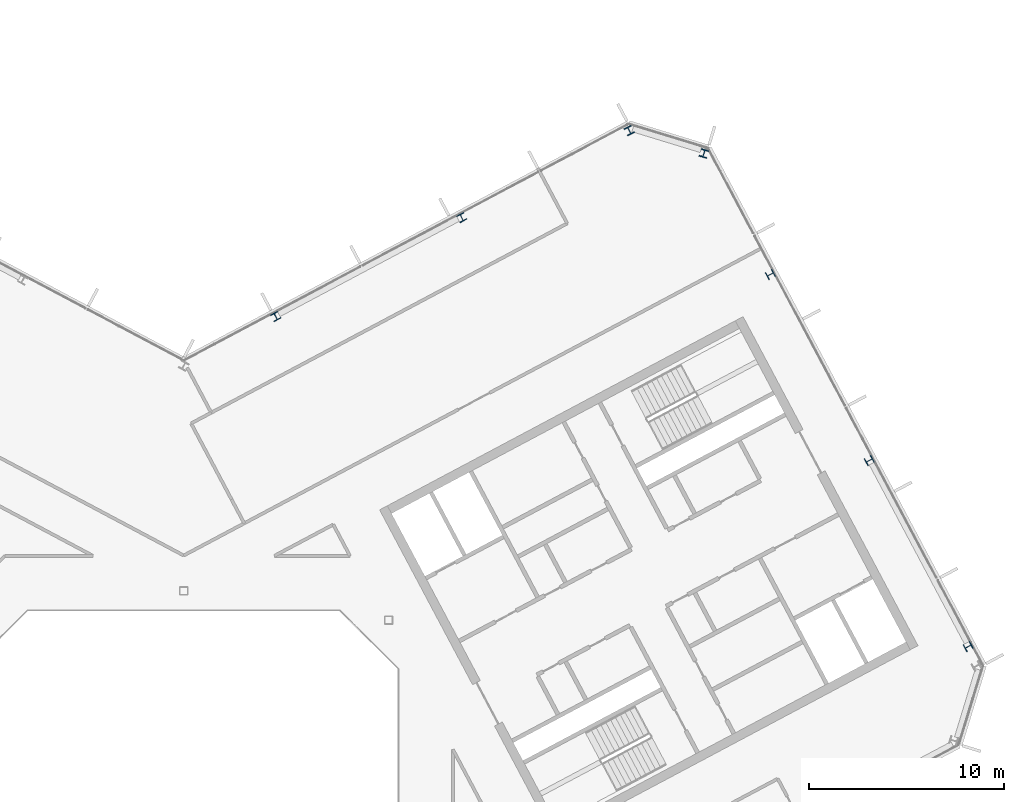
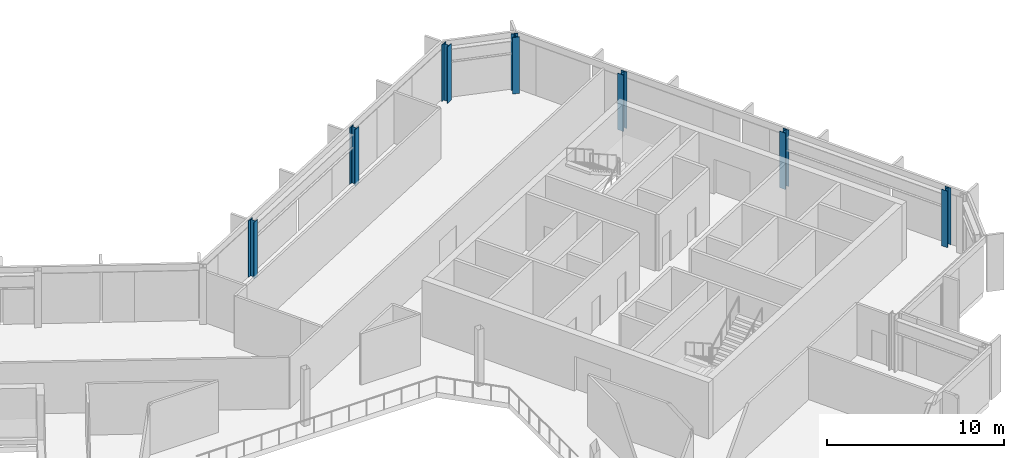
# One storey, part 7 of 25: 7 columns.
"""IFC4 building model written with IfcOpenShell, lengths in metres."""

from ifc_helpers import new_model, si_unit, direction, frame, origin, origin_2d, place, context, subcontext, project, spatial, i_section, extrude, material, material_profile, profile_set, type_object, element, save


model = new_model("IFC4")

# Units and contexts
model_context = context("Model", 3, precision=1e-05, world=origin(), true_north=direction((0.0, 1.0)))
body_context = subcontext(model_context, "Body", "Model", "MODEL_VIEW")
ifc_project = project(units=[si_unit("LENGTHUNIT", "METRE"), si_unit("AREAUNIT", "SQUARE_METRE"), si_unit("VOLUMEUNIT", "CUBIC_METRE"), si_unit("PLANEANGLEUNIT", "RADIAN"), si_unit("MASSUNIT", "GRAM", prefix="KILO")], contexts=[model_context])

# Site, building, storey
site_placement = place(None, origin())
site = spatial("IfcSite", under=ifc_project, at=site_placement, CompositionType="ELEMENT")
building_placement = place(site_placement, origin())
building = spatial("IfcBuilding", under=site, at=building_placement, Name="Cormorant Relay Tower", CompositionType="ELEMENT")
storey_placement = place(building_placement, frame((0.0, 0.0, 273.60009765625)))
storey = spatial("IfcBuildingStorey", under=building, at=storey_placement, Name="L61", CompositionType="ELEMENT", Elevation=273.60009765625)

# Columns
ifc_material_1 = material(Name="Steel ASTM A992 (Fy 345 MPa)", Category="steel")
ifc_material_profile_1 = material_profile(ifc_material_1, i_section(OverallWidth=0.398681640625, OverallDepth=0.385986328125, WebThickness=0.02099609375, FlangeThickness=0.033203125, FilletRadius=0.01513671875, at=origin_2d()), Name="W360x262")
ifc_profile_set_1 = profile_set([ifc_material_profile_1], Name="Steel ASTM A992 (Fy 345 MPa)")
column_type_1 = type_object("IfcColumnType", Name="Column W360x262", PredefinedType="COLUMN", material=ifc_profile_set_1)
for number, where, z_axis, x_axis, name in (
    (1, (40.2119140625, 9.14892578125, 0.0), (0.0, 0.0, 1.0), (-0.469471562786, 0.882947592859, 0.0), "Column L61-021"),
    (2, (35.14111328125, 18.68505859375, 0.0), (0.0, 0.0, 1.0), (-0.469471562786, 0.882947592859, 0.0), "Column L61-027"),
    (3, (4.715087890625, 26.06494140625, 0.0), (0.0, 0.0, 1.0), (-0.882947592859, -0.469471562786, 0.0), "Column L61-031"),
    (4, (30.071044921875, 28.220947265625, 0.0), (0.0, 0.0, 1.0), (-0.469471562786, 0.882947592859, 0.0), "Column L61-033"),
    (5, (14.2509765625, 31.135009765625, 0.0), (0.0, 0.0, 1.0), (-0.882947592859, -0.469471562786, 0.0), "Column L61-035"),
):
    element("IfcColumn", number, at=place(storey_placement, frame(where, z_axis=z_axis, x_axis=x_axis)), inside=storey, type_object=column_type_1, Name=name, PredefinedType="COLUMN", context=body_context, shape_type="SweptSolid", body=[
        extrude(i_section(OverallWidth=0.398681640625, OverallDepth=0.385986328125, WebThickness=0.02099609375, FlangeThickness=0.033203125, FilletRadius=0.01513671875, at=origin_2d()), origin(), (0.0, 0.0, 1.0), 3.89990234375),
    ])
ifc_material_2 = material(Name="Steel ASTM A992 (Fy 345 MPa)", Category="steel")
ifc_material_profile_2 = material_profile(ifc_material_2, i_section(OverallWidth=0.40380859375, OverallDepth=0.406494140625, WebThickness=0.027099609375, FlangeThickness=0.043701171875, FilletRadius=0.01513671875, at=origin_2d()), Name="W360x347")
ifc_profile_set_2 = profile_set([ifc_material_profile_2], Name="Steel ASTM A992 (Fy 345 MPa)")
column_type_2 = type_object("IfcColumnType", Name="Column W360x347", PredefinedType="COLUMN", material=ifc_profile_set_2)
for number, where, z_axis, x_axis, name in (
    (6, (26.6640625, 34.425048828125, 0.0), (0.0, 0.0, 1.0), (-0.956304755963, 0.292371704723, 0.0), "Column L61-038"),
    (7, (22.841064453125, 35.593994140625, 0.0), (0.0, 0.0, 1.0), (-0.882947592859, -0.469471562786, 0.0), "Column L61-039"),
):
    element("IfcColumn", number, at=place(storey_placement, frame(where, z_axis=z_axis, x_axis=x_axis)), inside=storey, type_object=column_type_2, Name=name, PredefinedType="COLUMN", context=body_context, shape_type="SweptSolid", body=[
        extrude(i_section(OverallWidth=0.40380859375, OverallDepth=0.406494140625, WebThickness=0.027099609375, FlangeThickness=0.043701171875, FilletRadius=0.01513671875, at=origin_2d()), origin(), (0.0, 0.0, 1.0), 3.89990234375),
    ])

save(model, "model.ifc")
